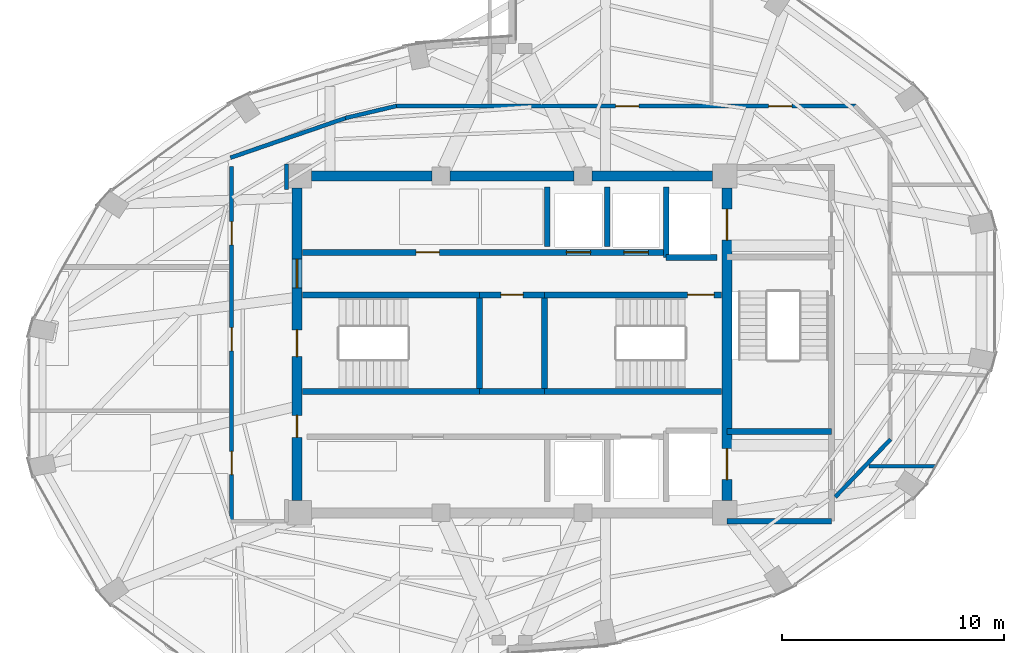
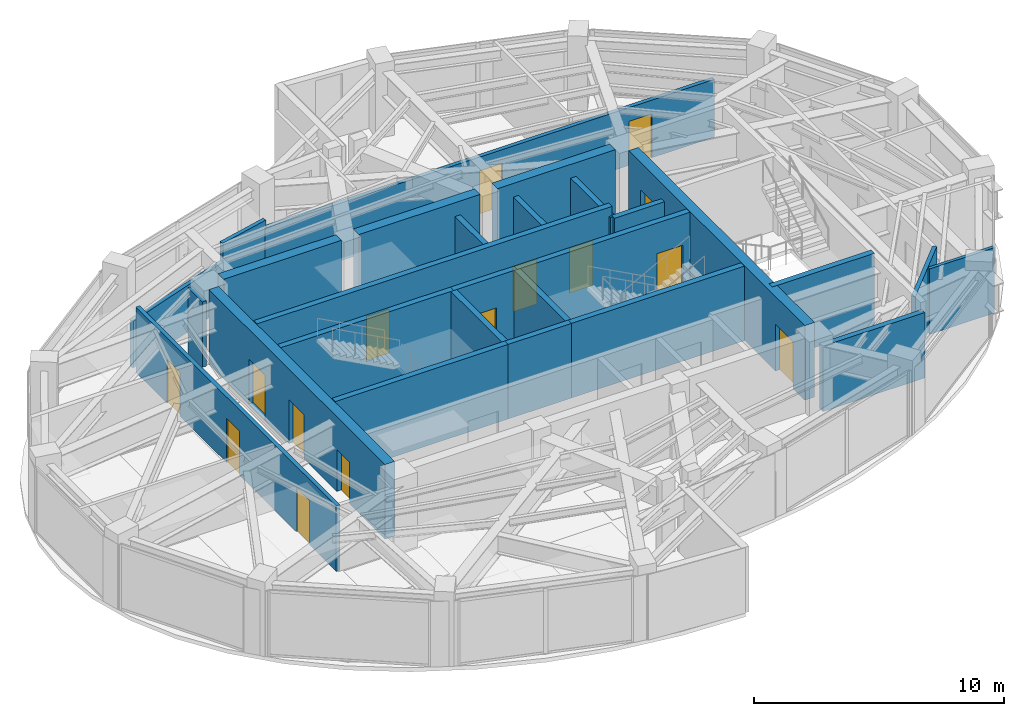
# One storey, part 20 of 23: 27 walls, 15 doors, 15 openings.
"""IFC4 building model written with IfcOpenShell, lengths in metres."""

from ifc_helpers import new_model, si_unit, direction, frame, frame_2d, origin, place, context, subcontext, project, spatial, rectangle, extrude, material, layer, layer_set, type_object, element, fill, save


model = new_model("IFC4")

# Units and contexts
model_context = context("Model", 3, precision=1e-05, world=origin(), true_north=direction((0.0, 1.0)))
body_context = subcontext(model_context, "Body", "Model", "MODEL_VIEW")
ifc_project = project(units=[si_unit("LENGTHUNIT", "METRE"), si_unit("AREAUNIT", "SQUARE_METRE"), si_unit("VOLUMEUNIT", "CUBIC_METRE"), si_unit("PLANEANGLEUNIT", "RADIAN"), si_unit("MASSUNIT", "GRAM", prefix="KILO")], contexts=[model_context])

# Site, building, storey
site_placement = place(None, origin())
site = spatial("IfcSite", under=ifc_project, at=site_placement, CompositionType="ELEMENT")
building_placement = place(site_placement, origin())
building = spatial("IfcBuilding", under=site, at=building_placement, Name="Lazwardi Medical Tower", CompositionType="ELEMENT")
storey_placement = place(building_placement, frame((0.0, 0.0, 265.968017578125)))
storey = spatial("IfcBuildingStorey", under=building, at=storey_placement, Name="L69", CompositionType="ELEMENT", Elevation=265.968017578125)

# Walls
ifc_material_1 = material(Name="Fire-rated gypsum board on steel stud", Category="steel")
ifc_layer_1 = layer(ifc_material_1, 0.179931640625)
ifc_layer_set_1 = layer_set([ifc_layer_1], Name="Fire-rated gypsum board on steel stud")
wall_type_1 = type_object("IfcWallType", Name="WL-COR-180", PredefinedType="PARTITIONING", material=ifc_layer_set_1)
wall_1_placement = place(storey_placement, frame((23.294189453125, 36.422119140625, 0.0), z_axis=(0.0, 0.0, 1.0), x_axis=(0.945493277461, 0.325641616316, 0.0)))
element("IfcWall", 1, at=wall_1_placement, inside=storey, type_object=wall_type_1, Name="L69 Corridor partition 1", PredefinedType="PARTITIONING", context=body_context, shape_type="SweptSolid", body=[
    extrude(rectangle(XDim=5.5615234375, YDim=0.179931640625, at=frame_2d((2.78076171875, 0.0))), origin(), (0.0, 0.0, 1.0), 2.282958984375),
])
wall_2_placement = place(storey_placement, frame((28.475830078125, 38.2109375, 0.0), z_axis=(0.0, 0.0, 1.0), x_axis=(0.973030562203, 0.230676234189, 0.0)))
element("IfcWall", 2, at=wall_2_placement, inside=storey, type_object=wall_type_1, Name="L69 Corridor partition 2", PredefinedType="PARTITIONING", context=body_context, shape_type="SweptSolid", body=[
    extrude(rectangle(XDim=2.377197265625, YDim=0.179931640625, at=frame_2d((1.1884765625, 0.0))), origin(), (0.0, 0.0, 1.0), 3.197998046875),
])

# Wall, openings, doors
wall_3_placement = place(storey_placement, frame((30.709716796875, 38.75, 0.0), z_axis=(0.0, 0.0, 1.0), x_axis=(1.0, 0.0, 0.0)))
wall_3 = element("IfcWall", 3, at=wall_3_placement, inside=storey, type_object=wall_type_1, Name="L69 Corridor partition 3", PredefinedType="PARTITIONING", context=body_context, shape_type="SweptSolid", body=[
    extrude(rectangle(XDim=20.8154296875, YDim=0.179931640625, at=frame_2d((10.40771484375, 0.0))), origin(), (0.0, 0.0, 1.0), 2.822998046875),
])
opening_1_placement = place(wall_3_placement, frame((16.868896484375, 0.0, 0.0)))
opening_1 = element("IfcOpeningElement", 4, at=opening_1_placement, cuts=wall_3, Name="Opening D-L69-012", PredefinedType="OPENING", context=body_context, shape_type="SweptSolid", body=[
    extrude(rectangle(XDim=1.050048828125, YDim=2.14990234375, at=frame_2d((0.52490234375, 1.074951171875))), frame((0.0, 0.099853515625, 0.0), z_axis=(0.0, -1.0, 0.0), x_axis=(1.0, 0.0, 0.0)), (0.0, 0.0, 1.0), 0.199951171875),
])
opening_2_placement = place(wall_3_placement, frame((9.965087890625, 0.0, 0.0)))
opening_2 = element("IfcOpeningElement", 5, at=opening_2_placement, cuts=wall_3, Name="Opening D-L69-013", PredefinedType="OPENING", context=body_context, shape_type="SweptSolid", body=[
    extrude(rectangle(XDim=1.050048828125, YDim=2.14990234375, at=frame_2d((0.52490234375, 1.074951171875))), frame((0.0, 0.099853515625, 0.0), z_axis=(0.0, -1.0, 0.0), x_axis=(1.0, 0.0, 0.0)), (0.0, 0.0, 1.0), 0.199951171875),
])
ifc_material_2 = material(Name="Anti-microbial laminate hospital leaf")
door_type_1 = type_object("IfcDoorType", Name="DR-CLN-1050", OperationType="NOTDEFINED", PredefinedType="DOOR", material=ifc_material_2)
door_1_placement = place(opening_1_placement, origin())
door_1 = element("IfcDoor", 6, at=door_1_placement, inside=storey, type_object=door_type_1, Name="L69 Medical Duty Staff Room Door 05", OperationType="SINGLE_SWING_LEFT", OverallHeight=2.14990234375, OverallWidth=1.050048828125, PredefinedType="DOOR", context=body_context, shape_type="SweptSolid", body=[
    extrude(rectangle(XDim=1.050048828125, YDim=2.14990234375, at=frame_2d((0.52490234375, 1.074951171875))), frame((0.0, 0.02490234375, 0.0), z_axis=(0.0, -1.0, 0.0), x_axis=(1.0, 0.0, 0.0)), (0.0, 0.0, 1.0), 0.050048828125),
])
fill(opening_1, door_1)
door_2_placement = place(opening_2_placement, origin())
door_2 = element("IfcDoor", 7, at=door_2_placement, inside=storey, type_object=door_type_1, Name="L69 Medical Duty Staff Room Door 06", OperationType="SINGLE_SWING_RIGHT", OverallHeight=2.14990234375, OverallWidth=1.050048828125, PredefinedType="DOOR", context=body_context, shape_type="SweptSolid", body=[
    extrude(rectangle(XDim=1.050048828125, YDim=2.14990234375, at=frame_2d((0.52490234375, 1.074951171875))), frame((0.0, 0.02490234375, 0.0), z_axis=(0.0, -1.0, 0.0), x_axis=(1.0, 0.0, 0.0)), (0.0, 0.0, 1.0), 0.050048828125),
])
fill(opening_2, door_2)

# Walls
wall_4_placement = place(storey_placement, frame((53.07763671875, 23.71435546875, 0.0), z_axis=(0.0, 0.0, 1.0), x_axis=(-0.691353379446, -0.722516785085, 0.0)))
element("IfcWall", 8, at=wall_4_placement, inside=storey, type_object=wall_type_1, Name="L69 Corridor partition 6", PredefinedType="PARTITIONING", context=body_context, shape_type="SweptSolid", body=[
    extrude(rectangle(XDim=3.603759765625, YDim=0.179931640625, at=frame_2d((1.8017578125, 0.0))), origin(), (0.0, 0.0, 1.0), 3.197998046875),
])
wall_5_placement = place(storey_placement, frame((25.830078125, 36.139892578125, 0.0), z_axis=(0.0, 0.0, 1.0), x_axis=(0.0, -1.0, 0.0)))
element("IfcWall", 9, at=wall_5_placement, inside=storey, type_object=wall_type_1, Name="L69 Corridor partition 7", PredefinedType="PARTITIONING", context=body_context, shape_type="SweptSolid", body=[
    extrude(rectangle(XDim=1.14990234375, YDim=0.179931640625, at=frame_2d((0.574951171875, 0.0))), origin(), (0.0, 0.0, 1.0), 3.197998046875),
])

# Wall, openings, doors
wall_6_placement = place(storey_placement, frame((23.35009765625, 19.97998046875, 0.0), z_axis=(0.0, 0.0, 1.0), x_axis=(0.0, 1.0, 0.0)))
wall_6 = element("IfcWall", 10, at=wall_6_placement, inside=storey, type_object=wall_type_1, Name="L69 Corridor partition 10", PredefinedType="PARTITIONING", context=body_context, shape_type="SweptSolid", body=[
    extrude(rectangle(XDim=16.04248046875, YDim=0.179931640625, at=frame_2d((8.021240234375, 0.0))), origin(), (0.0, 0.0, 1.0), 3.197998046875),
])
opening_3_placement = place(wall_6_placement, frame((2.14404296875, 0.0, 0.0)))
opening_3 = element("IfcOpeningElement", 11, at=opening_3_placement, cuts=wall_6, Name="Opening D-L69-008", PredefinedType="OPENING", context=body_context, shape_type="SweptSolid", body=[
    extrude(rectangle(XDim=1.050048828125, YDim=2.14990234375, at=frame_2d((0.52490234375, 1.074951171875))), frame((0.0, 0.099853515625, 0.0), z_axis=(0.0, -1.0, 0.0), x_axis=(1.0, 0.0, 0.0)), (0.0, 0.0, 1.0), 0.199951171875),
])
opening_4_placement = place(wall_6_placement, frame((12.5146484375, 0.0, 0.0)))
opening_4 = element("IfcOpeningElement", 12, at=opening_4_placement, cuts=wall_6, Name="Opening D-L69-014", PredefinedType="OPENING", context=body_context, shape_type="SweptSolid", body=[
    extrude(rectangle(XDim=1.050048828125, YDim=2.14990234375, at=frame_2d((0.52490234375, 1.074951171875))), frame((0.0, 0.099853515625, 0.0), z_axis=(0.0, -1.0, 0.0), x_axis=(1.0, 0.0, 0.0)), (0.0, 0.0, 1.0), 0.199951171875),
])
opening_5_placement = place(wall_6_placement, frame((7.7275390625, 0.0, 0.0)))
opening_5 = element("IfcOpeningElement", 13, at=opening_5_placement, cuts=wall_6, Name="Opening D-L69-015", PredefinedType="OPENING", context=body_context, shape_type="SweptSolid", body=[
    extrude(rectangle(XDim=1.050048828125, YDim=2.14990234375, at=frame_2d((0.52490234375, 1.074951171875))), frame((0.0, 0.099853515625, 0.0), z_axis=(0.0, -1.0, 0.0), x_axis=(1.0, 0.0, 0.0)), (0.0, 0.0, 1.0), 0.199951171875),
])
door_3_placement = place(opening_3_placement, origin())
door_3 = element("IfcDoor", 14, at=door_3_placement, inside=storey, type_object=door_type_1, Name="L69 Medical Duty Staff Room Door 01", OperationType="SINGLE_SWING_LEFT", OverallHeight=2.14990234375, OverallWidth=1.050048828125, PredefinedType="DOOR", context=body_context, shape_type="SweptSolid", body=[
    extrude(rectangle(XDim=1.050048828125, YDim=2.14990234375, at=frame_2d((0.52490234375, 1.074951171875))), frame((0.0, 0.02490234375, 0.0), z_axis=(0.0, -1.0, 0.0), x_axis=(1.0, 0.0, 0.0)), (0.0, 0.0, 1.0), 0.050048828125),
])
fill(opening_3, door_3)
door_4_placement = place(opening_4_placement, origin())
door_4 = element("IfcDoor", 15, at=door_4_placement, inside=storey, type_object=door_type_1, Name="L69 Medical Duty Staff Room Door 07", OperationType="SINGLE_SWING_LEFT", OverallHeight=2.14990234375, OverallWidth=1.050048828125, PredefinedType="DOOR", context=body_context, shape_type="SweptSolid", body=[
    extrude(rectangle(XDim=1.050048828125, YDim=2.14990234375, at=frame_2d((0.52490234375, 1.074951171875))), frame((0.0, 0.02490234375, 0.0), z_axis=(0.0, -1.0, 0.0), x_axis=(1.0, 0.0, 0.0)), (0.0, 0.0, 1.0), 0.050048828125),
])
fill(opening_4, door_4)
door_5_placement = place(opening_5_placement, origin())
door_5 = element("IfcDoor", 16, at=door_5_placement, inside=storey, type_object=door_type_1, Name="L69 Medical Duty Staff Room Door 08", OperationType="SINGLE_SWING_RIGHT", OverallHeight=2.14990234375, OverallWidth=1.050048828125, PredefinedType="DOOR", context=body_context, shape_type="SweptSolid", body=[
    extrude(rectangle(XDim=1.050048828125, YDim=2.14990234375, at=frame_2d((0.52490234375, 1.074951171875))), frame((0.0, 0.02490234375, 0.0), z_axis=(0.0, -1.0, 0.0), x_axis=(1.0, 0.0, 0.0)), (0.0, 0.0, 1.0), 0.050048828125),
])
fill(opening_5, door_5)

ifc_material_3 = material(Name="Concrete C60/75", Category="concrete")
ifc_layer_2 = layer(ifc_material_3, 0.449951171875)
ifc_layer_set_2 = layer_set([ifc_layer_2], Name="Concrete C60/75")
wall_type_2 = type_object("IfcWallType", Name="WL-CORE-450", PredefinedType="SHEAR", material=ifc_layer_set_2)
wall_7_placement = place(storey_placement, frame((26.300048828125, 20.949951171875, 0.0), z_axis=(0.0, 0.0, 1.0), x_axis=(0.0, 1.0, 0.0)))
wall_7 = element("IfcWall", 17, at=wall_7_placement, inside=storey, type_object=wall_type_2, Name="Core wall CW-S4 west L69", PredefinedType="SHEAR", context=body_context, shape_type="SweptSolid", body=[
    extrude(rectangle(XDim=14.10009765625, YDim=0.449951171875, at=frame_2d((7.050048828125, 0.0))), origin(), (0.0, 0.0, 1.0), 3.64794921875),
])
opening_6_placement = place(wall_7_placement, frame((6.5, 0.0, 0.0)))
opening_6 = element("IfcOpeningElement", 18, at=opening_6_placement, cuts=wall_7, Name="Opening D-L69-016", PredefinedType="OPENING", context=body_context, shape_type="SweptSolid", body=[
    extrude(rectangle(XDim=1.199951171875, YDim=2.14990234375, at=frame_2d((0.60009765625, 1.074951171875))), frame((0.0, 0.23486328125, 0.0), z_axis=(0.0, -1.0, 0.0), x_axis=(1.0, 0.0, 0.0)), (0.0, 0.0, 1.0), 0.469970703125),
])
opening_7_placement = place(wall_7_placement, frame((9.60009765625, 0.0, 0.0)))
opening_7 = element("IfcOpeningElement", 19, at=opening_7_placement, cuts=wall_7, Name="Opening D-L69-006", PredefinedType="OPENING", context=body_context, shape_type="SweptSolid", body=[
    extrude(rectangle(XDim=1.300048828125, YDim=2.199951171875, at=frame_2d((0.64990234375, 1.10009765625))), frame((0.0, 0.23486328125, 0.0), z_axis=(0.0, -1.0, 0.0), x_axis=(1.0, 0.0, 0.0)), (0.0, 0.0, 1.0), 0.469970703125),
])
opening_8_placement = place(wall_7_placement, frame((2.85009765625, 0.0, 0.0)))
opening_8 = element("IfcOpeningElement", 20, at=opening_8_placement, cuts=wall_7, Name="Opening D-L69-007", PredefinedType="OPENING", context=body_context, shape_type="SweptSolid", body=[
    extrude(rectangle(XDim=1.0, YDim=2.0400390625, at=frame_2d((0.5, 1.02001953125))), frame((0.0, 0.23486328125, 0.0), z_axis=(0.0, -1.0, 0.0), x_axis=(1.0, 0.0, 0.0)), (0.0, 0.0, 1.0), 0.469970703125),
])
ifc_material_4 = material(Name="Moisture-resistant laminate door leaf")
door_type_2 = type_object("IfcDoorType", Name="DR-AWC-1000", OperationType="NOTDEFINED", PredefinedType="DOOR", material=ifc_material_4)
door_6_placement = place(opening_8_placement, origin())
door_6 = element("IfcDoor", 21, at=door_6_placement, inside=storey, type_object=door_type_2, Name="L69 South Lift Lobby Door", OperationType="SINGLE_SWING_LEFT", OverallHeight=2.0400390625, OverallWidth=1.0, PredefinedType="DOOR", context=body_context, shape_type="SweptSolid", body=[
    extrude(rectangle(XDim=1.0, YDim=2.0400390625, at=frame_2d((0.5, 1.02001953125))), frame((0.0, 0.02490234375, 0.0), z_axis=(0.0, -1.0, 0.0), x_axis=(1.0, 0.0, 0.0)), (0.0, 0.0, 1.0), 0.050048828125),
])
fill(opening_8, door_6)
ifc_material_5 = material(Name="Fire-rated steel leaf and frame", Category="steel")
door_type_3 = type_object("IfcDoorType", Name="DR-FFL-1300", OperationType="NOTDEFINED", PredefinedType="DOOR", material=ifc_material_5)
door_7_placement = place(opening_7_placement, origin())
door_7 = element("IfcDoor", 22, at=door_7_placement, inside=storey, type_object=door_type_3, Name="L69 North Lift Lobby Door", OperationType="SINGLE_SWING_RIGHT", OverallHeight=2.199951171875, OverallWidth=1.300048828125, PredefinedType="DOOR", context=body_context, shape_type="SweptSolid", body=[
    extrude(rectangle(XDim=1.300048828125, YDim=2.199951171875, at=frame_2d((0.64990234375, 1.10009765625))), frame((0.0, 0.02490234375, 0.0), z_axis=(0.0, -1.0, 0.0), x_axis=(1.0, 0.0, 0.0)), (0.0, 0.0, 1.0), 0.050048828125),
])
fill(opening_7, door_7)
door_type_4 = type_object("IfcDoorType", Name="DR-STR-1200", OperationType="NOTDEFINED", PredefinedType="DOOR", material=ifc_material_5)
door_8_placement = place(opening_6_placement, origin())
door_8 = element("IfcDoor", 23, at=door_8_placement, inside=storey, type_object=door_type_4, Name="L69 Exit Stair ST1 Door", OperationType="SINGLE_SWING_LEFT", OverallHeight=2.14990234375, OverallWidth=1.199951171875, PredefinedType="DOOR", context=body_context, shape_type="SweptSolid", body=[
    extrude(rectangle(XDim=1.199951171875, YDim=2.14990234375, at=frame_2d((0.60009765625, 1.074951171875))), frame((0.0, 0.02490234375, 0.0), z_axis=(0.0, -1.0, 0.0), x_axis=(1.0, 0.0, 0.0)), (0.0, 0.0, 1.0), 0.050048828125),
])
fill(opening_6, door_8)

wall_8_placement = place(storey_placement, frame((45.699951171875, 20.949951171875, 0.0), z_axis=(0.0, 0.0, 1.0), x_axis=(0.0, 1.0, 0.0)))
wall_8 = element("IfcWall", 24, at=wall_8_placement, inside=storey, type_object=wall_type_2, Name="Core wall CW-S4 east L69", PredefinedType="SHEAR", context=body_context, shape_type="SweptSolid", body=[
    extrude(rectangle(XDim=14.10009765625, YDim=0.449951171875, at=frame_2d((7.050048828125, 0.0))), origin(), (0.0, 0.0, 1.0), 3.64794921875),
])
opening_9_placement = place(wall_8_placement, frame((11.75, 0.0, 0.0)))
opening_9 = element("IfcOpeningElement", 25, at=opening_9_placement, cuts=wall_8, Name="Opening LD-L69-001", PredefinedType="OPENING", context=body_context, shape_type="SweptSolid", body=[
    extrude(rectangle(XDim=1.39990234375, YDim=2.300048828125, at=frame_2d((0.699951171875, 1.14990234375))), frame((0.0, 0.23486328125, 0.0), z_axis=(0.0, -1.0, 0.0), x_axis=(1.0, 0.0, 0.0)), (0.0, 0.0, 1.0), 0.469970703125),
])
opening_10_placement = place(wall_8_placement, frame((0.949951171875, 0.0, 0.0)))
opening_10 = element("IfcOpeningElement", 26, at=opening_10_placement, cuts=wall_8, Name="Opening LD-L69-002", PredefinedType="OPENING", context=body_context, shape_type="SweptSolid", body=[
    extrude(rectangle(XDim=1.39990234375, YDim=2.300048828125, at=frame_2d((0.699951171875, 1.14990234375))), frame((0.0, 0.23486328125, 0.0), z_axis=(0.0, -1.0, 0.0), x_axis=(1.0, 0.0, 0.0)), (0.0, 0.0, 1.0), 0.469970703125),
])
ifc_material_6 = material(Name="Brushed stainless steel bed-lift landing door", Category="steel")
door_type_5 = type_object("IfcDoorType", Name="DR-LFT-1400", OperationType="NOTDEFINED", PredefinedType="DOOR", material=ifc_material_6)
door_9_placement = place(opening_9_placement, origin())
door_9 = element("IfcDoor", 27, at=door_9_placement, inside=storey, type_object=door_type_5, Name="L69 Lift Landing Door FL-01", OperationType="SLIDING_TO_LEFT", OverallHeight=2.300048828125, OverallWidth=1.39990234375, PredefinedType="DOOR", context=body_context, shape_type="SweptSolid", body=[
    extrude(rectangle(XDim=1.39990234375, YDim=2.300048828125, at=frame_2d((0.699951171875, 1.14990234375))), frame((0.0, 0.02490234375, 0.0), z_axis=(0.0, -1.0, 0.0), x_axis=(1.0, 0.0, 0.0)), (0.0, 0.0, 1.0), 0.050048828125),
])
fill(opening_9, door_9)
door_10_placement = place(opening_10_placement, origin())
door_10 = element("IfcDoor", 28, at=door_10_placement, inside=storey, type_object=door_type_5, Name="L69 Lift Landing Door FL-02", OperationType="SLIDING_TO_LEFT", OverallHeight=2.300048828125, OverallWidth=1.39990234375, PredefinedType="DOOR", context=body_context, shape_type="SweptSolid", body=[
    extrude(rectangle(XDim=1.39990234375, YDim=2.300048828125, at=frame_2d((0.699951171875, 1.14990234375))), frame((0.0, 0.02490234375, 0.0), z_axis=(0.0, -1.0, 0.0), x_axis=(1.0, 0.0, 0.0)), (0.0, 0.0, 1.0), 0.050048828125),
])
fill(opening_10, door_10)

# Walls
wall_9_placement = place(storey_placement, frame((26.949951171875, 35.60009765625, 0.0), z_axis=(0.0, 0.0, 1.0), x_axis=(1.0, 0.0, 0.0)))
element("IfcWall", 29, at=wall_9_placement, inside=storey, type_object=wall_type_2, Name="Core wall CW-S4 N1 L69", PredefinedType="SHEAR", context=body_context, shape_type="SweptSolid", body=[
    extrude(rectangle(XDim=5.449951171875, YDim=0.449951171875, at=frame_2d((2.72509765625, 0.0))), origin(), (0.0, 0.0, 1.0), 3.64794921875),
])
wall_10_placement = place(storey_placement, frame((33.199951171875, 35.60009765625, 0.0), z_axis=(0.0, 0.0, 1.0), x_axis=(1.0, 0.0, 0.0)))
element("IfcWall", 30, at=wall_10_placement, inside=storey, type_object=wall_type_2, Name="Core wall CW-S4 N2 L69", PredefinedType="SHEAR", context=body_context, shape_type="SweptSolid", body=[
    extrude(rectangle(XDim=5.60009765625, YDim=0.449951171875, at=frame_2d((2.800048828125, 0.0))), origin(), (0.0, 0.0, 1.0), 3.64794921875),
])
wall_11_placement = place(storey_placement, frame((39.60009765625, 35.60009765625, 0.0), z_axis=(0.0, 0.0, 1.0), x_axis=(1.0, 0.0, 0.0)))
element("IfcWall", 31, at=wall_11_placement, inside=storey, type_object=wall_type_2, Name="Core wall CW-S4 N3 L69", PredefinedType="SHEAR", context=body_context, shape_type="SweptSolid", body=[
    extrude(rectangle(XDim=5.449951171875, YDim=0.449951171875, at=frame_2d((2.72509765625, 0.0))), origin(), (0.0, 0.0, 1.0), 3.64794921875),
])
ifc_material_7 = material(Name="Autoclaved aerated concrete blockwork", Category="masonry")
ifc_layer_3 = layer(ifc_material_7, 0.25)
ifc_layer_set_3 = layer_set([ifc_layer_3], Name="Autoclaved aerated concrete blockwork")
wall_type_3 = type_object("IfcWallType", Name="WL-SHAFT-250", PredefinedType="SOLIDWALL", material=ifc_layer_set_3)
wall_12_placement = place(storey_placement, frame((42.949951171875, 31.919921875, 0.0), z_axis=(0.0, 0.0, 1.0), x_axis=(0.0, 1.0, 0.0)))
element("IfcWall", 32, at=wall_12_placement, inside=storey, type_object=wall_type_3, Name="L69 FL-01 West shaft wall", PredefinedType="SOLIDWALL", context=body_context, shape_type="SweptSolid", body=[
    extrude(rectangle(XDim=3.18017578125, YDim=0.25, at=frame_2d((1.590087890625, 0.0))), origin(), (0.0, 0.0, 1.0), 3.197998046875),
])
wall_13_placement = place(storey_placement, frame((42.949951171875, 31.919921875, 0.0), z_axis=(0.0, 0.0, 1.0), x_axis=(1.0, 0.0, 0.0)))
element("IfcWall", 33, at=wall_13_placement, inside=storey, type_object=wall_type_3, Name="L69 FL-01 South shaft wall", PredefinedType="SOLIDWALL", context=body_context, shape_type="SweptSolid", body=[
    extrude(rectangle(XDim=2.300048828125, YDim=0.25, at=frame_2d((1.14990234375, 0.0))), origin(), (0.0, 0.0, 1.0), 3.197998046875),
])
for number, where, z_axis, x_axis, name in (
    (34, (37.60009765625, 32.419921875, 0.0), (0.0, 0.0, 1.0), (0.0, 1.0, 0.0), "L69 North hoistway divider"),
    (35, (40.300048828125, 32.419921875, 0.0), (0.0, 0.0, 1.0), (0.0, 1.0, 0.0), "L69 North hoistway divider"),
):
    element("IfcWall", number, at=place(storey_placement, frame(where, z_axis=z_axis, x_axis=x_axis)), inside=storey, type_object=wall_type_3, Name=name, PredefinedType="SOLIDWALL", context=body_context, shape_type="SweptSolid", body=[
        extrude(rectangle(XDim=2.68017578125, YDim=0.25, at=frame_2d((1.340087890625, 0.0))), origin(), (0.0, 0.0, 1.0), 3.197998046875),
    ])
wall_14_placement = place(storey_placement, frame((45.699951171875, 20.02001953125, 0.0), z_axis=(0.0, 0.0, 1.0), x_axis=(1.0, 0.0, 0.0)))
element("IfcWall", 36, at=wall_14_placement, inside=storey, type_object=wall_type_3, Name="L69 FFL-S South wall", PredefinedType="SOLIDWALL", context=body_context, shape_type="SweptSolid", body=[
    extrude(rectangle(XDim=4.715087890625, YDim=0.25, at=frame_2d((2.357421875, 0.0))), origin(), (0.0, 0.0, 1.0), 3.197998046875),
])
ifc_material_8 = material(Name="Concrete C50/60", Category="concrete")
ifc_layer_4 = layer(ifc_material_8, 0.27001953125)
ifc_layer_set_4 = layer_set([ifc_layer_4], Name="Concrete C50/60")
wall_type_4 = type_object("IfcWallType", Name="WL-STR-250", PredefinedType="SHEAR", material=ifc_layer_set_4)
wall_15_placement = place(storey_placement, frame((26.550048828125, 30.235107421875, 0.0), z_axis=(0.0, 0.0, 1.0), x_axis=(1.0, 0.0, 0.0)))
element("IfcWall", 37, at=wall_15_placement, inside=storey, type_object=wall_type_4, Name="L69 ST1 North shear shaft wall SW-S1", PredefinedType="SHEAR", context=body_context, shape_type="SweptSolid", body=[
    extrude(rectangle(XDim=7.98486328125, YDim=0.27001953125, at=frame_2d((3.992431640625, 0.0))), origin(), (0.0, 0.0, 1.0), 3.64794921875),
])

# Wall, opening, door
wall_16_placement = place(storey_placement, frame((34.534912109375, 30.235107421875, 0.0), z_axis=(0.0, 0.0, 1.0), x_axis=(1.0, 0.0, 0.0)))
wall_16 = element("IfcWall", 38, at=wall_16_placement, inside=storey, type_object=wall_type_4, Name="L69 Core service North shear wall SW-S1", PredefinedType="SHEAR", context=body_context, shape_type="SweptSolid", body=[
    extrude(rectangle(XDim=2.93017578125, YDim=0.27001953125, at=frame_2d((1.465087890625, 0.0))), origin(), (0.0, 0.0, 1.0), 3.64794921875),
])
opening_11_placement = place(wall_16_placement, frame((0.965087890625, 0.0, 0.0)))
opening_11 = element("IfcOpeningElement", 39, at=opening_11_placement, cuts=wall_16, Name="Opening D-L69-001", PredefinedType="OPENING", context=body_context, shape_type="SweptSolid", body=[
    extrude(rectangle(XDim=1.0, YDim=2.10009765625, at=frame_2d((0.5, 1.050048828125))), frame((0.0, 0.14501953125, 0.0), z_axis=(0.0, -1.0, 0.0), x_axis=(1.0, 0.0, 0.0)), (0.0, 0.0, 1.0), 0.2900390625),
])
door_11_placement = place(opening_11_placement, origin())
door_11 = element("IfcDoor", 40, at=door_11_placement, inside=storey, type_object=door_type_2, Name="L69 Accessible WC Door", OperationType="SINGLE_SWING_LEFT", OverallHeight=2.10009765625, OverallWidth=1.0, PredefinedType="DOOR", context=body_context, shape_type="SweptSolid", body=[
    extrude(rectangle(XDim=1.0, YDim=2.10009765625, at=frame_2d((0.5, 1.050048828125))), frame((0.0, 0.02490234375, 0.0), z_axis=(0.0, -1.0, 0.0), x_axis=(1.0, 0.0, 0.0)), (0.0, 0.0, 1.0), 0.050048828125),
])
fill(opening_11, door_11)

wall_17_placement = place(storey_placement, frame((37.465087890625, 30.235107421875, 0.0), z_axis=(0.0, 0.0, 1.0), x_axis=(1.0, 0.0, 0.0)))
wall_17 = element("IfcWall", 41, at=wall_17_placement, inside=storey, type_object=wall_type_4, Name="L69 ST2 North shear shaft wall SW-S1", PredefinedType="SHEAR", context=body_context, shape_type="SweptSolid", body=[
    extrude(rectangle(XDim=7.98486328125, YDim=0.27001953125, at=frame_2d((3.992431640625, 0.0))), origin(), (0.0, 0.0, 1.0), 3.64794921875),
])
opening_12_placement = place(wall_17_placement, frame((6.455078125, 0.0, 0.0)))
opening_12 = element("IfcOpeningElement", 42, at=opening_12_placement, cuts=wall_17, Name="Opening D-L69-017", PredefinedType="OPENING", context=body_context, shape_type="SweptSolid", body=[
    extrude(rectangle(XDim=1.199951171875, YDim=2.14990234375, at=frame_2d((0.60009765625, 1.074951171875))), frame((0.0, 0.14501953125, 0.0), z_axis=(0.0, -1.0, 0.0), x_axis=(1.0, 0.0, 0.0)), (0.0, 0.0, 1.0), 0.2900390625),
])
door_12_placement = place(opening_12_placement, origin())
door_12 = element("IfcDoor", 43, at=door_12_placement, inside=storey, type_object=door_type_4, Name="L69 Exit Stair ST2 Door", OperationType="SINGLE_SWING_RIGHT", OverallHeight=2.14990234375, OverallWidth=1.199951171875, PredefinedType="DOOR", context=body_context, shape_type="SweptSolid", body=[
    extrude(rectangle(XDim=1.199951171875, YDim=2.14990234375, at=frame_2d((0.60009765625, 1.074951171875))), frame((0.0, 0.02490234375, 0.0), z_axis=(0.0, -1.0, 0.0), x_axis=(1.0, 0.0, 0.0)), (0.0, 0.0, 1.0), 0.050048828125),
])
fill(opening_12, door_12)

# Walls
wall_18_placement = place(storey_placement, frame((26.550048828125, 25.885009765625, 0.0), z_axis=(0.0, 0.0, 1.0), x_axis=(1.0, 0.0, 0.0)))
element("IfcWall", 44, at=wall_18_placement, inside=storey, type_object=wall_type_4, Name="L69 ST1 South shear shaft wall SW-S1", PredefinedType="SHEAR", context=body_context, shape_type="SweptSolid", body=[
    extrude(rectangle(XDim=7.98486328125, YDim=0.27001953125, at=frame_2d((3.992431640625, 0.0))), origin(), (0.0, 0.0, 1.0), 3.64794921875),
])
wall_19_placement = place(storey_placement, frame((34.534912109375, 25.885009765625, 0.0), z_axis=(0.0, 0.0, 1.0), x_axis=(1.0, 0.0, 0.0)))
element("IfcWall", 45, at=wall_19_placement, inside=storey, type_object=wall_type_4, Name="L69 Core service South shear wall SW-S1", PredefinedType="SHEAR", context=body_context, shape_type="SweptSolid", body=[
    extrude(rectangle(XDim=2.93017578125, YDim=0.27001953125, at=frame_2d((1.465087890625, 0.0))), origin(), (0.0, 0.0, 1.0), 3.64794921875),
])
wall_20_placement = place(storey_placement, frame((37.465087890625, 25.885009765625, 0.0), z_axis=(0.0, 0.0, 1.0), x_axis=(1.0, 0.0, 0.0)))
element("IfcWall", 46, at=wall_20_placement, inside=storey, type_object=wall_type_4, Name="L69 ST2 South shear shaft wall SW-S1", PredefinedType="SHEAR", context=body_context, shape_type="SweptSolid", body=[
    extrude(rectangle(XDim=7.98486328125, YDim=0.27001953125, at=frame_2d((3.992431640625, 0.0))), origin(), (0.0, 0.0, 1.0), 3.64794921875),
])
for number, where, z_axis, x_axis, name in (
    (47, (34.534912109375, 26.02001953125, 0.0), (0.0, 0.0, 1.0), (0.0, 1.0, 0.0), "L69 ST1 East shear shaft wall SW-S1"),
    (48, (37.465087890625, 26.02001953125, 0.0), (0.0, 0.0, 1.0), (0.0, 1.0, 0.0), "L69 ST2 West shear shaft wall SW-S1"),
):
    element("IfcWall", number, at=place(storey_placement, frame(where, z_axis=z_axis, x_axis=x_axis)), inside=storey, type_object=wall_type_4, Name=name, PredefinedType="SHEAR", context=body_context, shape_type="SweptSolid", body=[
        extrude(rectangle(XDim=4.080078125, YDim=0.27001953125, at=frame_2d((2.0400390625, 0.0))), origin(), (0.0, 0.0, 1.0), 3.64794921875),
    ])

# Wall, openings, doors
wall_21_placement = place(storey_placement, frame((26.550048828125, 32.14990234375, 0.0), z_axis=(0.0, 0.0, 1.0), x_axis=(1.0, 0.0, 0.0)))
wall_21 = element("IfcWall", 49, at=wall_21_placement, inside=storey, type_object=wall_type_4, Name="L69 North lift bank shear wall SW-S1", PredefinedType="SHEAR", context=body_context, shape_type="SweptSolid", body=[
    extrude(rectangle(XDim=16.39990234375, YDim=0.27001953125, at=frame_2d((8.199951171875, 0.0))), origin(), (0.0, 0.0, 1.0), 3.64794921875),
])
opening_13_placement = place(wall_21_placement, frame((5.125, 0.0, 0.0)))
opening_13 = element("IfcOpeningElement", 50, at=opening_13_placement, cuts=wall_21, Name="Opening D-L69-002", PredefinedType="OPENING", context=body_context, shape_type="SweptSolid", body=[
    extrude(rectangle(XDim=1.050048828125, YDim=2.14990234375, at=frame_2d((0.52490234375, 1.074951171875))), frame((0.0, 0.14501953125, 0.0), z_axis=(0.0, -1.0, 0.0), x_axis=(1.0, 0.0, 0.0)), (0.0, 0.0, 1.0), 0.2900390625),
])
opening_14_placement = place(wall_21_placement, frame((11.89990234375, 0.0, 0.0)))
opening_14 = element("IfcOpeningElement", 51, at=opening_14_placement, cuts=wall_21, Name="Opening LD-L69-004", PredefinedType="OPENING", context=body_context, shape_type="SweptSolid", body=[
    extrude(rectangle(XDim=1.10009765625, YDim=2.199951171875, at=frame_2d((0.550048828125, 1.10009765625))), frame((0.0, 0.14501953125, 0.0), z_axis=(0.0, -1.0, 0.0), x_axis=(1.0, 0.0, 0.0)), (0.0, 0.0, 1.0), 0.2900390625),
])
opening_15_placement = place(wall_21_placement, frame((14.5, 0.0, 0.0)))
opening_15 = element("IfcOpeningElement", 52, at=opening_15_placement, cuts=wall_21, Name="Opening LD-L69-005", PredefinedType="OPENING", context=body_context, shape_type="SweptSolid", body=[
    extrude(rectangle(XDim=1.10009765625, YDim=2.199951171875, at=frame_2d((0.550048828125, 1.10009765625))), frame((0.0, 0.14501953125, 0.0), z_axis=(0.0, -1.0, 0.0), x_axis=(1.0, 0.0, 0.0)), (0.0, 0.0, 1.0), 0.2900390625),
])
door_13_placement = place(opening_13_placement, origin())
door_13 = element("IfcDoor", 53, at=door_13_placement, inside=storey, type_object=door_type_1, Name="L69 Core North Suite Door", OperationType="SINGLE_SWING_RIGHT", OverallHeight=2.14990234375, OverallWidth=1.050048828125, PredefinedType="DOOR", context=body_context, shape_type="SweptSolid", body=[
    extrude(rectangle(XDim=1.050048828125, YDim=2.14990234375, at=frame_2d((0.52490234375, 1.074951171875))), frame((0.0, 0.02490234375, 0.0), z_axis=(0.0, -1.0, 0.0), x_axis=(1.0, 0.0, 0.0)), (0.0, 0.0, 1.0), 0.050048828125),
])
fill(opening_13, door_13)
ifc_material_9 = material(Name="Brushed bronze stainless steel landing door", Category="steel")
door_type_6 = type_object("IfcDoorType", Name="DR-LFT-1100", OperationType="NOTDEFINED", PredefinedType="DOOR", material=ifc_material_9)
door_14_placement = place(opening_14_placement, origin())
door_14 = element("IfcDoor", 54, at=door_14_placement, inside=storey, type_object=door_type_6, Name="L69 Lift Landing Door PL-09", OperationType="SLIDING_TO_LEFT", OverallHeight=2.199951171875, OverallWidth=1.10009765625, PredefinedType="DOOR", context=body_context, shape_type="SweptSolid", body=[
    extrude(rectangle(XDim=1.10009765625, YDim=2.199951171875, at=frame_2d((0.550048828125, 1.10009765625))), frame((0.0, 0.02490234375, 0.0), z_axis=(0.0, -1.0, 0.0), x_axis=(1.0, 0.0, 0.0)), (0.0, 0.0, 1.0), 0.050048828125),
])
fill(opening_14, door_14)
door_15_placement = place(opening_15_placement, origin())
door_15 = element("IfcDoor", 55, at=door_15_placement, inside=storey, type_object=door_type_6, Name="L69 Lift Landing Door PL-10", OperationType="SLIDING_TO_LEFT", OverallHeight=2.199951171875, OverallWidth=1.10009765625, PredefinedType="DOOR", context=body_context, shape_type="SweptSolid", body=[
    extrude(rectangle(XDim=1.10009765625, YDim=2.199951171875, at=frame_2d((0.550048828125, 1.10009765625))), frame((0.0, 0.02490234375, 0.0), z_axis=(0.0, -1.0, 0.0), x_axis=(1.0, 0.0, 0.0)), (0.0, 0.0, 1.0), 0.050048828125),
])
fill(opening_15, door_15)

# Walls
wall_22_placement = place(storey_placement, frame((45.699951171875, 24.06494140625, 0.0), z_axis=(0.0, 0.0, 1.0), x_axis=(1.0, 0.0, 0.0)))
element("IfcWall", 56, at=wall_22_placement, inside=storey, type_object=wall_type_4, Name="L69 ST3 South shear shaft wall SW-S1", PredefinedType="SHEAR", context=body_context, shape_type="SweptSolid", body=[
    extrude(rectangle(XDim=4.715087890625, YDim=0.27001953125, at=frame_2d((2.357421875, 0.0))), origin(), (0.0, 0.0, 1.0), 3.64794921875),
])
ifc_material_10 = material(Name="Acoustic gypsum board partition")
ifc_layer_5 = layer(ifc_material_10, 0.14990234375)
ifc_layer_set_5 = layer_set([ifc_layer_5], Name="Acoustic gypsum board partition")
wall_type_5 = type_object("IfcWallType", Name="WL-WRD-150", PredefinedType="PARTITIONING", material=ifc_layer_set_5)
wall_23_placement = place(storey_placement, frame((52.101806640625, 22.5, 0.0), z_axis=(0.0, 0.0, 1.0), x_axis=(1.0, 0.0, 0.0)))
element("IfcWall", 57, at=wall_23_placement, inside=storey, type_object=wall_type_5, Name="L69 Room partition 3", PredefinedType="PARTITIONING", context=body_context, shape_type="SweptSolid", body=[
    extrude(rectangle(XDim=3.003173828125, YDim=0.14990234375, at=frame_2d((1.50146484375, 0.0))), origin(), (0.0, 0.0, 1.0), 3.197998046875),
])

save(model, "model.ifc")
